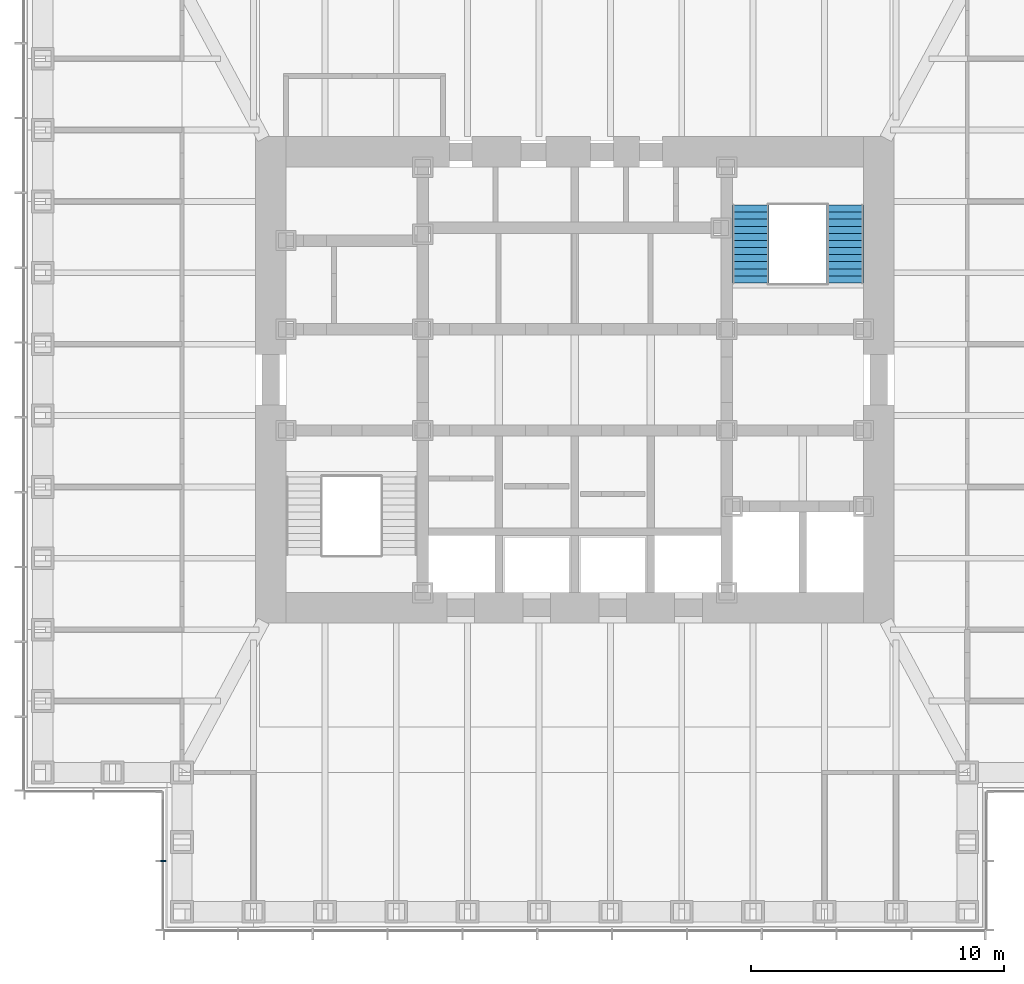
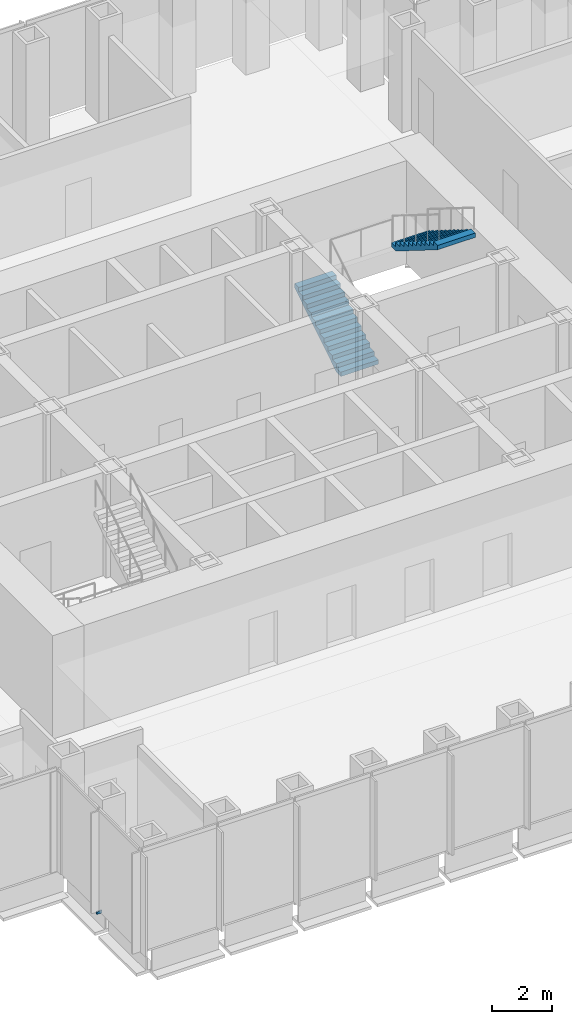
# One storey, part 11 of 17: 2 stair flights, 1 discrete accessory, 1 element without a shape of its own.
"""IFC4 building model written with IfcOpenShell, lengths in metres."""

from ifc_helpers import new_model, si_unit, direction, frame, origin, origin_2d, place, context, subcontext, project, spatial, polyline, rectangle, outline, extrude, material, type_object, element, aggregate, save


model = new_model("IFC4")

# Units and contexts
model_context = context("Model", 3, precision=1e-05, world=origin(), true_north=direction((0.0, 1.0)))
body_context = subcontext(model_context, "Body", "Model", "MODEL_VIEW")
ifc_project = project(units=[si_unit("LENGTHUNIT", "METRE"), si_unit("AREAUNIT", "SQUARE_METRE"), si_unit("VOLUMEUNIT", "CUBIC_METRE"), si_unit("PLANEANGLEUNIT", "RADIAN"), si_unit("MASSUNIT", "GRAM", prefix="KILO")], contexts=[model_context])

# Site, building, storey
site_placement = place(None, origin())
site = spatial("IfcSite", under=ifc_project, at=site_placement, CompositionType="ELEMENT")
building_placement = place(site_placement, origin())
building = spatial("IfcBuilding", under=site, at=building_placement, Name="Daluyong Arena Tower", CompositionType="ELEMENT")
storey_placement = place(building_placement, frame((0.0, 0.0, 193.89990234375)))
storey = spatial("IfcBuildingStorey", under=building, at=storey_placement, Name="L43", CompositionType="ELEMENT", Elevation=193.89990234375)

# Stair, stair flights
ifc_material_1 = material(Name="Concrete fc' 35 MPa", Category="concrete")
stair_type = type_object("IfcStairType", Name="Core exit stair", PredefinedType="HALF_TURN_STAIR", material=ifc_material_1)
stair_placement = place(storey_placement, origin())
stair = element("IfcStair", 1, at=stair_placement, inside=storey, type_object=stair_type, Name="exit stair B L43", PredefinedType="HALF_TURN_STAIR")
ifc_material_2 = material(Name="Concrete fc' 35 MPa", Category="concrete")
stair_flight_type = type_object("IfcStairFlightType", Name="Core stair flight", PredefinedType="STRAIGHT", material=ifc_material_2)
stair_flight_1_placement = place(storey_placement, frame((62.949951171875, 83.824951171875, 0.0), z_axis=(0.0, 0.0, 1.0), x_axis=(0.0, 1.0, 0.0)))
stair_flight_1 = element("IfcStairFlight", 2, at=stair_flight_1_placement, type_object=stair_flight_type, Name="STB flight 1", NumberOfRisers=12, NumberOfTreads=11, PredefinedType="STRAIGHT", RiserHeight=0.175, TreadLength=0.28, context=body_context, shape_type="SweptSolid", body=[
    extrude(outline(polyline([(0.0, 0.0), (0.0, 0.175048828125), (0.280029296875, 0.175048828125), (0.280029296875, 0.35009765625), (0.56005859375, 0.35009765625), (0.56005859375, 0.52490234375), (0.840087890625, 0.52490234375), (0.840087890625, 0.699951171875), (1.1201171875, 0.699951171875), (1.1201171875, 0.875), (1.39990234375, 0.875), (1.39990234375, 1.050048828125), (1.679931640625, 1.050048828125), (1.679931640625, 1.22509765625), (1.9599609375, 1.22509765625), (1.9599609375, 1.39990234375), (2.239990234375, 1.39990234375), (2.239990234375, 1.574951171875), (2.52001953125, 1.574951171875), (2.52001953125, 1.75), (2.800048828125, 1.75), (2.800048828125, 1.925048828125), (3.080078125, 1.925048828125), (3.080078125, 2.10009765625), (3.080078125, 1.748291015625), (0.28271484375, 0.0), (0.0, 0.0)])), frame((0.0, 0.72509765625, 0.0), z_axis=(0.0, -1.0, 0.0), x_axis=(1.0, 0.0, 0.0)), (0.0, 0.0, 1.0), 1.449951171875),
])
stair_flight_2_placement = place(storey_placement, frame((66.675048828125, 86.905029296875, 2.10009765625), z_axis=(0.0, 0.0, 1.0), x_axis=(0.0, -1.0, 0.0)))
stair_flight_2 = element("IfcStairFlight", 3, at=stair_flight_2_placement, type_object=stair_flight_type, Name="STB flight 2", NumberOfRisers=12, NumberOfTreads=11, PredefinedType="STRAIGHT", RiserHeight=0.175, TreadLength=0.28, context=body_context, shape_type="SweptSolid", body=[
    extrude(outline(polyline([(0.0, 0.0), (0.0, 0.175048828125), (0.280029296875, 0.175048828125), (0.280029296875, 0.35009765625), (0.56005859375, 0.35009765625), (0.56005859375, 0.52490234375), (0.840087890625, 0.52490234375), (0.840087890625, 0.699951171875), (1.1201171875, 0.699951171875), (1.1201171875, 0.875), (1.39990234375, 0.875), (1.39990234375, 1.050048828125), (1.679931640625, 1.050048828125), (1.679931640625, 1.22509765625), (1.9599609375, 1.22509765625), (1.9599609375, 1.39990234375), (2.239990234375, 1.39990234375), (2.239990234375, 1.574951171875), (2.52001953125, 1.574951171875), (2.52001953125, 1.75), (2.800048828125, 1.75), (2.800048828125, 1.925048828125), (3.080078125, 1.925048828125), (3.080078125, 2.10009765625), (3.080078125, 1.748291015625), (0.28271484375, 0.0), (0.0, 0.0)])), frame((0.0, 0.72509765625, 0.0), z_axis=(0.0, -1.0, 0.0), x_axis=(1.0, 0.0, 0.0)), (0.0, 0.0, 1.0), 1.449951171875),
])
aggregate(stair, [stair_flight_1, stair_flight_2])

# Discrete accessory
discrete_accessory_placement = place(storey_placement, frame((39.75, 61.0, -0.099853515625), z_axis=(0.0, 0.0, 1.0), x_axis=(0.0, -1.0, 0.0)))
element("IfcDiscreteAccessory", 4, at=discrete_accessory_placement, inside=storey, Name="curtain wall L43 SW-W anchor bracket 2", PredefinedType="BRACKET", context=body_context, shape_type="SweptSolid", body=[
    extrude(rectangle(XDim=0.06005859375, YDim=0.199951171875, at=origin_2d()), origin(), (0.0, 0.0, 1.0), 0.10009765625),
])

save(model, "model.ifc")
